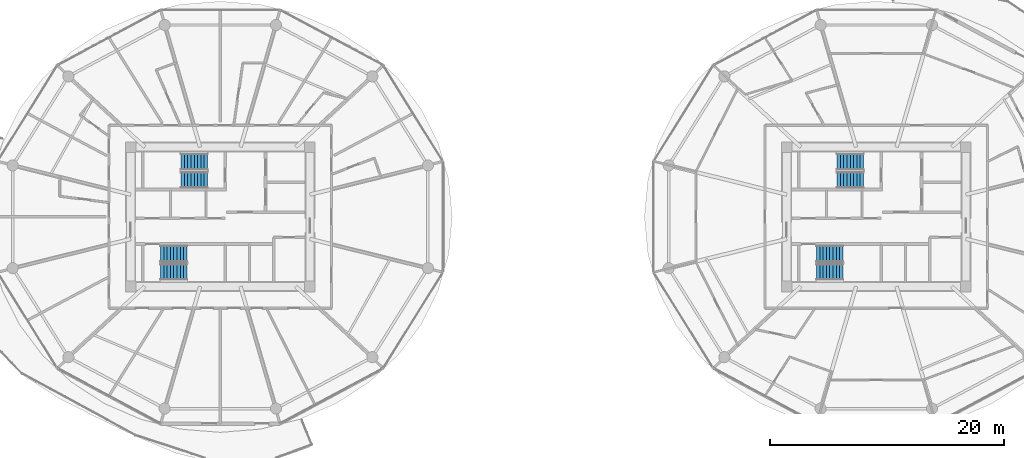
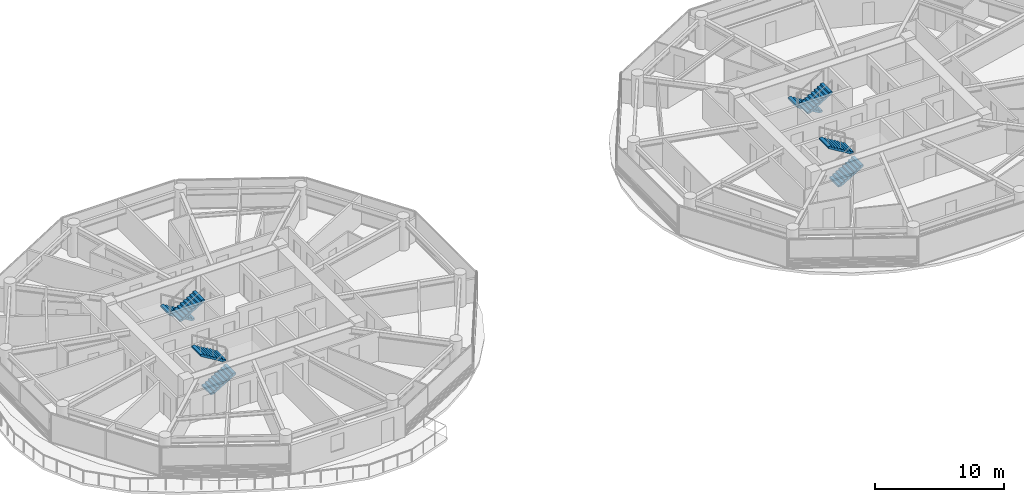
# One storey, part 21 of 27: 8 stair flights, 4 elements without a shape of their own.
"""IFC4 building model written with IfcOpenShell, lengths in metres."""

from ifc_helpers import new_model, si_unit, direction, frame, origin, place, context, subcontext, project, spatial, polyline, outline, extrude, material, type_object, element, aggregate, save


model = new_model("IFC4")

# Units and contexts
model_context = context("Model", 3, precision=1e-05, world=origin(), true_north=direction((0.0, 1.0)))
body_context = subcontext(model_context, "Body", "Model", "MODEL_VIEW")
ifc_project = project(units=[si_unit("LENGTHUNIT", "METRE"), si_unit("AREAUNIT", "SQUARE_METRE"), si_unit("VOLUMEUNIT", "CUBIC_METRE"), si_unit("PLANEANGLEUNIT", "RADIAN"), si_unit("MASSUNIT", "GRAM", prefix="KILO")], contexts=[model_context])

# Site, building, storey
site_placement = place(None, origin())
site = spatial("IfcSite", under=ifc_project, at=site_placement, CompositionType="ELEMENT")
building_placement = place(site_placement, origin())
building = spatial("IfcBuilding", under=site, at=building_placement, Name="Norrkilde Senior Care Towers", CompositionType="ELEMENT")
storey_placement = place(building_placement, frame((0.0, 0.0, 46.0)))
storey = spatial("IfcBuildingStorey", under=building, at=storey_placement, Name="L13", CompositionType="ELEMENT", Elevation=46.0)

# Stair, stair flights
ifc_material = material(Name="Concrete C45/55", Category="concrete")
stair_type = type_object("IfcStairType", Name="Core Protected Dogleg Stair Typical 3050", PredefinedType="HALF_TURN_STAIR", material=ifc_material)
stair_1_placement = place(storey_placement, origin())
stair_1 = element("IfcStair", 1, at=stair_1_placement, inside=storey, type_object=stair_type, Name="L13 Protected Core Stair W1", PredefinedType="HALF_TURN_STAIR")
stair_flight_type = type_object("IfcStairFlightType", Name="Core Protected Dogleg Stair Typical 3050 Flight", PredefinedType="STRAIGHT", material=ifc_material)
stair_flight_1_placement = place(storey_placement, frame((-29.10009765625, 4.699951171875, 0.0), z_axis=(0.0, 0.0, 1.0), x_axis=(-1.0, 0.0, 0.0)))
stair_flight_1 = element("IfcStairFlight", 2, at=stair_flight_1_placement, type_object=stair_flight_type, Name="ST-W1 flight 1", NumberOfRisers=9, NumberOfTreads=8, PredefinedType="STRAIGHT", RiserHeight=0.169444444, TreadLength=0.28, context=body_context, shape_type="SweptSolid", body=[
    extrude(outline(polyline([(0.0, 0.0), (0.0, 0.16943359375), (0.280029296875, 0.16943359375), (0.280029296875, 0.3388671875), (0.56005859375, 0.3388671875), (0.56005859375, 0.50830078125), (0.840087890625, 0.50830078125), (0.840087890625, 0.677734375), (1.1201171875, 0.677734375), (1.1201171875, 0.84716796875), (1.39990234375, 0.84716796875), (1.39990234375, 1.0166015625), (1.679931640625, 1.0166015625), (1.679931640625, 1.18603515625), (1.9599609375, 1.18603515625), (1.9599609375, 1.35546875), (2.239990234375, 1.35546875), (2.239990234375, 1.52490234375), (2.239990234375, 1.180419921875), (0.28955078125, 0.0), (0.0, 0.0)])), frame((0.0, 0.699951171875, 0.0), z_axis=(0.0, -1.0, 0.0), x_axis=(1.0, 0.0, 0.0)), (0.0, 0.0, 1.0), 1.39990234375),
])
stair_flight_2_placement = place(storey_placement, frame((-31.340087890625, 3.14990234375, 1.52490234375), z_axis=(0.0, 0.0, 1.0), x_axis=(1.0, 0.0, 0.0)))
stair_flight_2 = element("IfcStairFlight", 3, at=stair_flight_2_placement, type_object=stair_flight_type, Name="ST-W1 flight 2", NumberOfRisers=9, NumberOfTreads=8, PredefinedType="STRAIGHT", RiserHeight=0.169444444, TreadLength=0.28, context=body_context, shape_type="SweptSolid", body=[
    extrude(outline(polyline([(0.0, 0.0), (0.0, 0.16943359375), (0.280029296875, 0.16943359375), (0.280029296875, 0.3388671875), (0.56005859375, 0.3388671875), (0.56005859375, 0.50830078125), (0.840087890625, 0.50830078125), (0.840087890625, 0.677734375), (1.1201171875, 0.677734375), (1.1201171875, 0.84716796875), (1.39990234375, 0.84716796875), (1.39990234375, 1.0166015625), (1.679931640625, 1.0166015625), (1.679931640625, 1.18603515625), (1.9599609375, 1.18603515625), (1.9599609375, 1.35546875), (2.239990234375, 1.35546875), (2.239990234375, 1.52490234375), (2.239990234375, 1.180419921875), (0.28955078125, 0.0), (0.0, 0.0)])), frame((0.0, 0.699951171875, 0.0), z_axis=(0.0, -1.0, 0.0), x_axis=(1.0, 0.0, 0.0)), (0.0, 0.0, 1.0), 1.39990234375),
])
aggregate(stair_1, [stair_flight_1, stair_flight_2])

stair_2_placement = place(storey_placement, origin())
stair_2 = element("IfcStair", 4, at=stair_2_placement, inside=storey, type_object=stair_type, Name="L13 Protected Core Stair W2", PredefinedType="HALF_TURN_STAIR")
stair_flight_3_placement = place(storey_placement, frame((-33.10009765625, -4.699951171875, 0.0), z_axis=(0.0, 0.0, 1.0), x_axis=(1.0, 0.0, 0.0)))
stair_flight_3 = element("IfcStairFlight", 5, at=stair_flight_3_placement, type_object=stair_flight_type, Name="ST-W2 flight 1", NumberOfRisers=9, NumberOfTreads=8, PredefinedType="STRAIGHT", RiserHeight=0.169444444, TreadLength=0.28, context=body_context, shape_type="SweptSolid", body=[
    extrude(outline(polyline([(0.0, 0.0), (0.0, 0.16943359375), (0.280029296875, 0.16943359375), (0.280029296875, 0.3388671875), (0.56005859375, 0.3388671875), (0.56005859375, 0.50830078125), (0.840087890625, 0.50830078125), (0.840087890625, 0.677734375), (1.1201171875, 0.677734375), (1.1201171875, 0.84716796875), (1.39990234375, 0.84716796875), (1.39990234375, 1.0166015625), (1.679931640625, 1.0166015625), (1.679931640625, 1.18603515625), (1.9599609375, 1.18603515625), (1.9599609375, 1.35546875), (2.239990234375, 1.35546875), (2.239990234375, 1.52490234375), (2.239990234375, 1.180419921875), (0.28955078125, 0.0), (0.0, 0.0)])), frame((0.0, 0.699951171875, 0.0), z_axis=(0.0, -1.0, 0.0), x_axis=(1.0, 0.0, 0.0)), (0.0, 0.0, 1.0), 1.39990234375),
])
stair_flight_4_placement = place(storey_placement, frame((-30.860107421875, -3.14990234375, 1.52490234375), z_axis=(0.0, 0.0, 1.0), x_axis=(-1.0, 0.0, 0.0)))
stair_flight_4 = element("IfcStairFlight", 6, at=stair_flight_4_placement, type_object=stair_flight_type, Name="ST-W2 flight 2", NumberOfRisers=9, NumberOfTreads=8, PredefinedType="STRAIGHT", RiserHeight=0.169444444, TreadLength=0.28, context=body_context, shape_type="SweptSolid", body=[
    extrude(outline(polyline([(0.0, 0.0), (0.0, 0.16943359375), (0.280029296875, 0.16943359375), (0.280029296875, 0.3388671875), (0.56005859375, 0.3388671875), (0.56005859375, 0.50830078125), (0.840087890625, 0.50830078125), (0.840087890625, 0.677734375), (1.1201171875, 0.677734375), (1.1201171875, 0.84716796875), (1.39990234375, 0.84716796875), (1.39990234375, 1.0166015625), (1.679931640625, 1.0166015625), (1.679931640625, 1.18603515625), (1.9599609375, 1.18603515625), (1.9599609375, 1.35546875), (2.239990234375, 1.35546875), (2.239990234375, 1.52490234375), (2.239990234375, 1.180419921875), (0.28955078125, 0.0), (0.0, 0.0)])), frame((0.0, 0.699951171875, 0.0), z_axis=(0.0, -1.0, 0.0), x_axis=(1.0, 0.0, 0.0)), (0.0, 0.0, 1.0), 1.39990234375),
])
aggregate(stair_2, [stair_flight_3, stair_flight_4])

stair_3_placement = place(storey_placement, origin())
stair_3 = element("IfcStair", 7, at=stair_3_placement, inside=storey, type_object=stair_type, Name="L13 Protected Core Stair E1", PredefinedType="HALF_TURN_STAIR")
stair_flight_5_placement = place(storey_placement, frame((26.89990234375, 4.699951171875, 0.0), z_axis=(0.0, 0.0, 1.0), x_axis=(-1.0, 0.0, 0.0)))
stair_flight_5 = element("IfcStairFlight", 8, at=stair_flight_5_placement, type_object=stair_flight_type, Name="ST-E1 flight 1", NumberOfRisers=9, NumberOfTreads=8, PredefinedType="STRAIGHT", RiserHeight=0.169444444, TreadLength=0.28, context=body_context, shape_type="SweptSolid", body=[
    extrude(outline(polyline([(0.0, 0.0), (0.0, 0.16943359375), (0.280029296875, 0.16943359375), (0.280029296875, 0.3388671875), (0.56005859375, 0.3388671875), (0.56005859375, 0.50830078125), (0.840087890625, 0.50830078125), (0.840087890625, 0.677734375), (1.1201171875, 0.677734375), (1.1201171875, 0.84716796875), (1.39990234375, 0.84716796875), (1.39990234375, 1.0166015625), (1.679931640625, 1.0166015625), (1.679931640625, 1.18603515625), (1.9599609375, 1.18603515625), (1.9599609375, 1.35546875), (2.239990234375, 1.35546875), (2.239990234375, 1.52490234375), (2.239990234375, 1.180419921875), (0.28955078125, 0.0), (0.0, 0.0)])), frame((0.0, 0.699951171875, 0.0), z_axis=(0.0, -1.0, 0.0), x_axis=(1.0, 0.0, 0.0)), (0.0, 0.0, 1.0), 1.39990234375),
])
stair_flight_6_placement = place(storey_placement, frame((24.659912109375, 3.14990234375, 1.52490234375), z_axis=(0.0, 0.0, 1.0), x_axis=(1.0, 0.0, 0.0)))
stair_flight_6 = element("IfcStairFlight", 9, at=stair_flight_6_placement, type_object=stair_flight_type, Name="ST-E1 flight 2", NumberOfRisers=9, NumberOfTreads=8, PredefinedType="STRAIGHT", RiserHeight=0.169444444, TreadLength=0.28, context=body_context, shape_type="SweptSolid", body=[
    extrude(outline(polyline([(0.0, 0.0), (0.0, 0.16943359375), (0.280029296875, 0.16943359375), (0.280029296875, 0.3388671875), (0.56005859375, 0.3388671875), (0.56005859375, 0.50830078125), (0.840087890625, 0.50830078125), (0.840087890625, 0.677734375), (1.1201171875, 0.677734375), (1.1201171875, 0.84716796875), (1.39990234375, 0.84716796875), (1.39990234375, 1.0166015625), (1.679931640625, 1.0166015625), (1.679931640625, 1.18603515625), (1.9599609375, 1.18603515625), (1.9599609375, 1.35546875), (2.239990234375, 1.35546875), (2.239990234375, 1.52490234375), (2.239990234375, 1.180419921875), (0.28955078125, 0.0), (0.0, 0.0)])), frame((0.0, 0.699951171875, 0.0), z_axis=(0.0, -1.0, 0.0), x_axis=(1.0, 0.0, 0.0)), (0.0, 0.0, 1.0), 1.39990234375),
])
aggregate(stair_3, [stair_flight_5, stair_flight_6])

stair_4_placement = place(storey_placement, origin())
stair_4 = element("IfcStair", 10, at=stair_4_placement, inside=storey, type_object=stair_type, Name="L13 Protected Core Stair E2", PredefinedType="HALF_TURN_STAIR")
stair_flight_7_placement = place(storey_placement, frame((22.89990234375, -4.699951171875, 0.0), z_axis=(0.0, 0.0, 1.0), x_axis=(1.0, 0.0, 0.0)))
stair_flight_7 = element("IfcStairFlight", 11, at=stair_flight_7_placement, type_object=stair_flight_type, Name="ST-E2 flight 1", NumberOfRisers=9, NumberOfTreads=8, PredefinedType="STRAIGHT", RiserHeight=0.169444444, TreadLength=0.28, context=body_context, shape_type="SweptSolid", body=[
    extrude(outline(polyline([(0.0, 0.0), (0.0, 0.16943359375), (0.280029296875, 0.16943359375), (0.280029296875, 0.3388671875), (0.56005859375, 0.3388671875), (0.56005859375, 0.50830078125), (0.840087890625, 0.50830078125), (0.840087890625, 0.677734375), (1.1201171875, 0.677734375), (1.1201171875, 0.84716796875), (1.39990234375, 0.84716796875), (1.39990234375, 1.0166015625), (1.679931640625, 1.0166015625), (1.679931640625, 1.18603515625), (1.9599609375, 1.18603515625), (1.9599609375, 1.35546875), (2.239990234375, 1.35546875), (2.239990234375, 1.52490234375), (2.239990234375, 1.180419921875), (0.28955078125, 0.0), (0.0, 0.0)])), frame((0.0, 0.699951171875, 0.0), z_axis=(0.0, -1.0, 0.0), x_axis=(1.0, 0.0, 0.0)), (0.0, 0.0, 1.0), 1.39990234375),
])
stair_flight_8_placement = place(storey_placement, frame((25.139892578125, -3.14990234375, 1.52490234375), z_axis=(0.0, 0.0, 1.0), x_axis=(-1.0, 0.0, 0.0)))
stair_flight_8 = element("IfcStairFlight", 12, at=stair_flight_8_placement, type_object=stair_flight_type, Name="ST-E2 flight 2", NumberOfRisers=9, NumberOfTreads=8, PredefinedType="STRAIGHT", RiserHeight=0.169444444, TreadLength=0.28, context=body_context, shape_type="SweptSolid", body=[
    extrude(outline(polyline([(0.0, 0.0), (0.0, 0.16943359375), (0.280029296875, 0.16943359375), (0.280029296875, 0.3388671875), (0.56005859375, 0.3388671875), (0.56005859375, 0.50830078125), (0.840087890625, 0.50830078125), (0.840087890625, 0.677734375), (1.1201171875, 0.677734375), (1.1201171875, 0.84716796875), (1.39990234375, 0.84716796875), (1.39990234375, 1.0166015625), (1.679931640625, 1.0166015625), (1.679931640625, 1.18603515625), (1.9599609375, 1.18603515625), (1.9599609375, 1.35546875), (2.239990234375, 1.35546875), (2.239990234375, 1.52490234375), (2.239990234375, 1.180419921875), (0.28955078125, 0.0), (0.0, 0.0)])), frame((0.0, 0.699951171875, 0.0), z_axis=(0.0, -1.0, 0.0), x_axis=(1.0, 0.0, 0.0)), (0.0, 0.0, 1.0), 1.39990234375),
])
aggregate(stair_4, [stair_flight_7, stair_flight_8])

save(model, "model.ifc")
